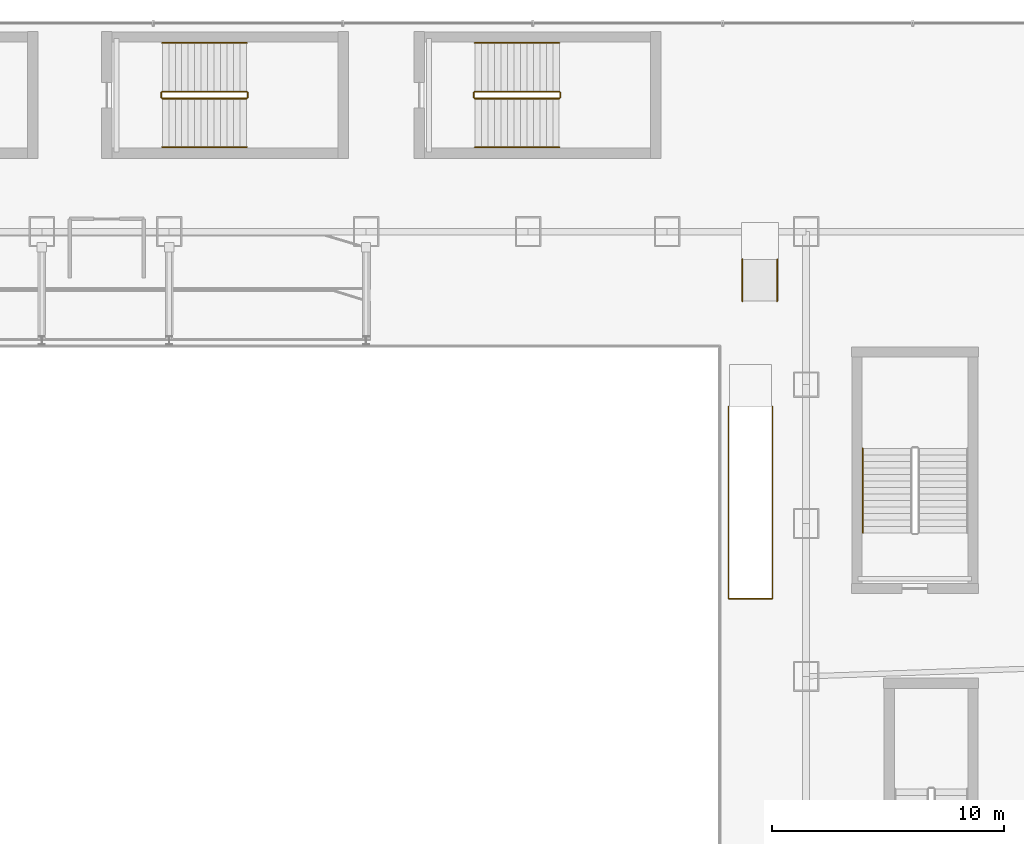
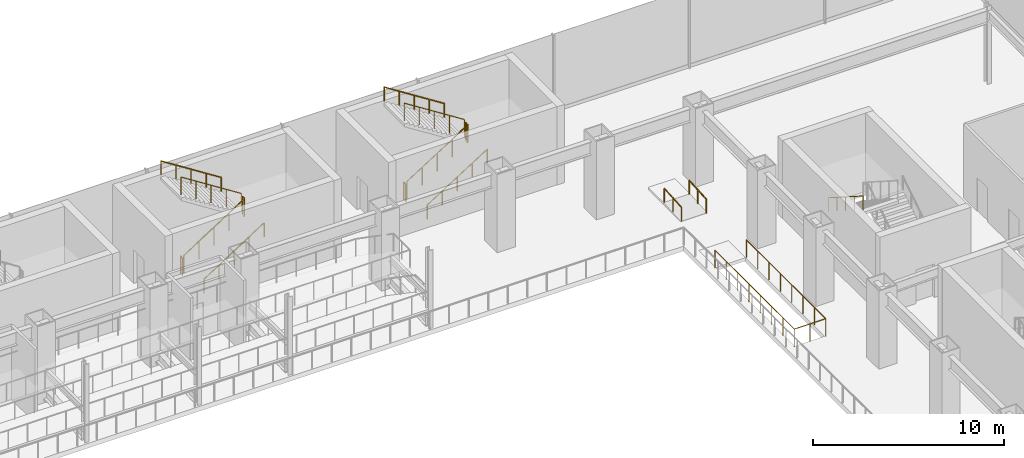
# One storey, part 37 of 39: 16 railings.
"""IFC4 building model written with IfcOpenShell, lengths in metres."""

from ifc_helpers import new_model, si_unit, derived_unit, direction, frame, origin, origin_2d, place, context, subcontext, project, spatial, circle, extrude, material, type_object, element, save


model = new_model("IFC4")

# Units and contexts
model_context = context("Model", 3, precision=1e-05, world=origin(), true_north=direction((0.0, 1.0)))
body_context = subcontext(model_context, "Body", "Model", "MODEL_VIEW")
ifc_project = project(units=[si_unit("LENGTHUNIT", "METRE"), si_unit("AREAUNIT", "SQUARE_METRE"), si_unit("VOLUMEUNIT", "CUBIC_METRE"), si_unit("PLANEANGLEUNIT", "RADIAN"), si_unit("MASSUNIT", "GRAM", prefix="KILO"), derived_unit("THERMALTRANSMITTANCEUNIT", [(si_unit("POWERUNIT", "WATT"), 1), (si_unit("LENGTHUNIT", "METRE"), -2), (si_unit("THERMODYNAMICTEMPERATUREUNIT", "KELVIN"), -1)])], contexts=[model_context])

# Site, building, storey
site_placement = place(None, origin())
site = spatial("IfcSite", under=ifc_project, at=site_placement, CompositionType="ELEMENT")
building_placement = place(site_placement, origin())
building = spatial("IfcBuilding", under=site, at=building_placement, Name="Skarnbrae Concourse Arena and Tower", CompositionType="ELEMENT")
storey_placement = place(building_placement, frame((0.0, 0.0, 11.0)))
storey = spatial("IfcBuildingStorey", under=building, at=storey_placement, Name="L02", CompositionType="ELEMENT", Elevation=11.0)

# Railings
ifc_material = material(Name="Steel CSA G40.21 350W", Category="steel")
railing_type_1 = type_object("IfcRailingType", Name="RAIL-HANDRAIL-900", PredefinedType="HANDRAIL", material=ifc_material)
railing_1_placement = place(storey_placement, frame((63.449951171875, 37.639892578125, 2.678466796875)))
element("IfcRailing", 1, at=railing_1_placement, inside=storey, type_object=railing_type_1, Name="L02 ST-A4 stair handrail 2", PredefinedType="HANDRAIL", context=body_context, shape_type="SweptSolid", body=[
    extrude(circle(Radius=0.02392578125, at=origin_2d()), frame((0.0, 0.0, 0.8759765625), z_axis=(0.0, -0.843111507901, 0.53773877045), x_axis=(1.0, 0.0, 0.0)), (0.0, 0.0, 1.0), 4.317138671875),
    extrude(circle(Radius=0.02099609375, at=origin_2d()), origin(), (0.0, 0.0, 1.0), 0.851806640625),
    extrude(circle(Radius=0.02099609375, at=origin_2d()), frame((0.0, -0.909912109375, 0.580322265625)), (0.0, 0.0, 1.0), 0.851806640625),
    extrude(circle(Radius=0.02099609375, at=origin_2d()), frame((0.0, -1.81982421875, 1.16064453125)), (0.0, 0.0, 1.0), 0.851806640625),
    extrude(circle(Radius=0.02099609375, at=origin_2d()), frame((0.0, -2.72998046875, 1.7412109375)), (0.0, 0.0, 1.0), 0.851806640625),
    extrude(circle(Radius=0.02099609375, at=origin_2d()), frame((0.0, -3.639892578125, 2.321533203125)), (0.0, 0.0, 1.0), 0.851806640625),
])
railing_2_placement = place(storey_placement, frame((33.199951171875, 50.64990234375, 0.178466796875)))
element("IfcRailing", 2, at=railing_2_placement, inside=storey, type_object=railing_type_1, Name="L02 ST-A7 stair handrail 1", PredefinedType="HANDRAIL", context=body_context, shape_type="SweptSolid", body=[
    extrude(circle(Radius=0.02392578125, at=origin_2d()), frame((0.0, 0.0, 0.8759765625), z_axis=(0.843127859045, 0.0, 0.537713132908), x_axis=(0.0, 1.0, 0.0)), (0.0, 0.0, 1.0), 4.3173828125),
    extrude(circle(Radius=0.02099609375, at=origin_2d()), origin(), (0.0, 0.0, 1.0), 0.851806640625),
    extrude(circle(Radius=0.02099609375, at=origin_2d()), frame((0.91015625, 0.0, 0.580322265625)), (0.0, 0.0, 1.0), 0.851806640625),
    extrude(circle(Radius=0.02099609375, at=origin_2d()), frame((1.820068359375, 0.0, 1.16064453125)), (0.0, 0.0, 1.0), 0.851806640625),
    extrude(circle(Radius=0.02099609375, at=origin_2d()), frame((2.72998046875, 0.0, 1.7412109375)), (0.0, 0.0, 1.0), 0.851806640625),
    extrude(circle(Radius=0.02099609375, at=origin_2d()), frame((3.64013671875, 0.0, 2.321533203125)), (0.0, 0.0, 1.0), 0.851806640625),
])
railing_3_placement = place(storey_placement, frame((36.840087890625, 55.14990234375, 2.678466796875)))
element("IfcRailing", 3, at=railing_3_placement, inside=storey, type_object=railing_type_1, Name="L02 ST-A7 stair handrail 2", PredefinedType="HANDRAIL", context=body_context, shape_type="SweptSolid", body=[
    extrude(circle(Radius=0.02392578125, at=origin_2d()), frame((0.0, 0.0, 0.8759765625), z_axis=(-0.843127859045, 0.0, 0.537713132908), x_axis=(0.0, -1.0, 0.0)), (0.0, 0.0, 1.0), 4.3173828125),
    extrude(circle(Radius=0.02099609375, at=origin_2d()), origin(), (0.0, 0.0, 1.0), 0.851806640625),
    extrude(circle(Radius=0.02099609375, at=origin_2d()), frame((-0.91015625, 0.0, 0.580322265625)), (0.0, 0.0, 1.0), 0.851806640625),
    extrude(circle(Radius=0.02099609375, at=origin_2d()), frame((-1.820068359375, 0.0, 1.16064453125)), (0.0, 0.0, 1.0), 0.851806640625),
    extrude(circle(Radius=0.02099609375, at=origin_2d()), frame((-2.72998046875, 0.0, 1.7412109375)), (0.0, 0.0, 1.0), 0.851806640625),
    extrude(circle(Radius=0.02099609375, at=origin_2d()), frame((-3.64013671875, 0.0, 2.321533203125)), (0.0, 0.0, 1.0), 0.851806640625),
])
railing_4_placement = place(storey_placement, frame((46.699951171875, 50.64990234375, 0.178466796875)))
element("IfcRailing", 4, at=railing_4_placement, inside=storey, type_object=railing_type_1, Name="L02 ST-A8 stair handrail 1", PredefinedType="HANDRAIL", context=body_context, shape_type="SweptSolid", body=[
    extrude(circle(Radius=0.02392578125, at=origin_2d()), frame((0.0, 0.0, 0.8759765625), z_axis=(0.843127859045, 0.0, 0.537713132908), x_axis=(0.0, 1.0, 0.0)), (0.0, 0.0, 1.0), 4.3173828125),
    extrude(circle(Radius=0.02099609375, at=origin_2d()), origin(), (0.0, 0.0, 1.0), 0.851806640625),
    extrude(circle(Radius=0.02099609375, at=origin_2d()), frame((0.91015625, 0.0, 0.580322265625)), (0.0, 0.0, 1.0), 0.851806640625),
    extrude(circle(Radius=0.02099609375, at=origin_2d()), frame((1.820068359375, 0.0, 1.16064453125)), (0.0, 0.0, 1.0), 0.851806640625),
    extrude(circle(Radius=0.02099609375, at=origin_2d()), frame((2.72998046875, 0.0, 1.7412109375)), (0.0, 0.0, 1.0), 0.851806640625),
    extrude(circle(Radius=0.02099609375, at=origin_2d()), frame((3.64013671875, 0.0, 2.321533203125)), (0.0, 0.0, 1.0), 0.851806640625),
])
railing_5_placement = place(storey_placement, frame((50.340087890625, 55.14990234375, 2.678466796875)))
element("IfcRailing", 5, at=railing_5_placement, inside=storey, type_object=railing_type_1, Name="L02 ST-A8 stair handrail 2", PredefinedType="HANDRAIL", context=body_context, shape_type="SweptSolid", body=[
    extrude(circle(Radius=0.02392578125, at=origin_2d()), frame((0.0, 0.0, 0.8759765625), z_axis=(-0.843127859045, 0.0, 0.537713132908), x_axis=(0.0, -1.0, 0.0)), (0.0, 0.0, 1.0), 4.3173828125),
    extrude(circle(Radius=0.02099609375, at=origin_2d()), origin(), (0.0, 0.0, 1.0), 0.851806640625),
    extrude(circle(Radius=0.02099609375, at=origin_2d()), frame((-0.91015625, 0.0, 0.580322265625)), (0.0, 0.0, 1.0), 0.851806640625),
    extrude(circle(Radius=0.02099609375, at=origin_2d()), frame((-1.820068359375, 0.0, 1.16064453125)), (0.0, 0.0, 1.0), 0.851806640625),
    extrude(circle(Radius=0.02099609375, at=origin_2d()), frame((-2.72998046875, 0.0, 1.7412109375)), (0.0, 0.0, 1.0), 0.851806640625),
    extrude(circle(Radius=0.02099609375, at=origin_2d()), frame((-3.64013671875, 0.0, 2.321533203125)), (0.0, 0.0, 1.0), 0.851806640625),
])
for number, where, name in (
    (6, (58.25, 44.0, 0.02001953125), "L02 Accessible ramp handrail W"),
    (7, (59.75, 44.0, 0.02001953125), "L02 Accessible ramp handrail E"),
):
    element("IfcRailing", number, at=place(storey_placement, frame(where)), inside=storey, type_object=railing_type_1, Name=name, PredefinedType="HANDRAIL", context=body_context, shape_type="SweptSolid", body=[
        extrude(circle(Radius=0.02392578125, at=origin_2d()), frame((0.0, 0.0, 0.8759765625), z_axis=(0.0, 0.997789945721, 0.06644715358), x_axis=(-1.0, 0.0, 0.0)), (0.0, 0.0, 1.0), 1.803955078125),
        extrude(circle(Radius=0.02099609375, at=origin_2d()), origin(), (0.0, 0.0, 1.0), 0.851806640625),
        extrude(circle(Radius=0.02099609375, at=origin_2d()), frame((0.0, 0.89990234375, 0.06005859375)), (0.0, 0.0, 1.0), 0.851806640625),
        extrude(circle(Radius=0.02099609375, at=origin_2d()), frame((0.0, 1.800048828125, 0.119873046875)), (0.0, 0.0, 1.0), 0.851806640625),
    ])
railing_type_2 = type_object("IfcRailingType", Name="RAIL-STAIR-GUARD-1150", PredefinedType="GUARDRAIL", material=ifc_material)
railing_6_placement = place(storey_placement, frame((33.199951171875, 52.75, 0.178466796875)))
element("IfcRailing", 8, at=railing_6_placement, inside=storey, type_object=railing_type_2, Name="L02 ST-A7 stair guard 1", PredefinedType="GUARDRAIL", context=body_context, shape_type="SweptSolid", body=[
    extrude(circle(Radius=0.02392578125, at=origin_2d()), frame((0.0, 0.0, 1.1259765625), z_axis=(0.843127859045, 0.0, 0.537713132908), x_axis=(0.0, 1.0, 0.0)), (0.0, 0.0, 1.0), 4.3173828125),
    extrude(circle(Radius=0.02099609375, at=origin_2d()), origin(), (0.0, 0.0, 1.0), 1.101806640625),
    extrude(circle(Radius=0.02099609375, at=origin_2d()), frame((0.91015625, 0.0, 0.580322265625)), (0.0, 0.0, 1.0), 1.101806640625),
    extrude(circle(Radius=0.02099609375, at=origin_2d()), frame((1.820068359375, 0.0, 1.16064453125)), (0.0, 0.0, 1.0), 1.101806640625),
    extrude(circle(Radius=0.02099609375, at=origin_2d()), frame((2.72998046875, 0.0, 1.7412109375)), (0.0, 0.0, 1.0), 1.101806640625),
    extrude(circle(Radius=0.02099609375, at=origin_2d()), frame((3.64013671875, 0.0, 2.321533203125)), (0.0, 0.0, 1.0), 1.101806640625),
])
railing_7_placement = place(storey_placement, frame((36.889892578125, 52.800048828125, 2.5)))
element("IfcRailing", 9, at=railing_7_placement, inside=storey, type_object=railing_type_2, Name="L02 ST-A7 stair guard 2", PredefinedType="GUARDRAIL", context=body_context, shape_type="SweptSolid", body=[
    extrude(circle(Radius=0.02392578125, at=origin_2d()), frame((0.0, 0.0, 1.1259765625), z_axis=(0.0, 1.0, 0.0), x_axis=(-1.0, 0.0, 0.0)), (0.0, 0.0, 1.0), 0.199951171875),
    extrude(circle(Radius=0.02099609375, at=origin_2d()), origin(), (0.0, 0.0, 1.0), 1.101806640625),
    extrude(circle(Radius=0.02099609375, at=origin_2d()), frame((0.0, 0.199951171875, 0.0)), (0.0, 0.0, 1.0), 1.101806640625),
])
railing_8_placement = place(storey_placement, frame((36.840087890625, 53.050048828125, 2.678466796875)))
element("IfcRailing", 10, at=railing_8_placement, inside=storey, type_object=railing_type_2, Name="L02 ST-A7 stair guard 3", PredefinedType="GUARDRAIL", context=body_context, shape_type="SweptSolid", body=[
    extrude(circle(Radius=0.02392578125, at=origin_2d()), frame((0.0, 0.0, 1.1259765625), z_axis=(-0.843127859045, 0.0, 0.537713132908), x_axis=(0.0, -1.0, 0.0)), (0.0, 0.0, 1.0), 4.3173828125),
    extrude(circle(Radius=0.02099609375, at=origin_2d()), origin(), (0.0, 0.0, 1.0), 1.101806640625),
    extrude(circle(Radius=0.02099609375, at=origin_2d()), frame((-0.91015625, 0.0, 0.580322265625)), (0.0, 0.0, 1.0), 1.101806640625),
    extrude(circle(Radius=0.02099609375, at=origin_2d()), frame((-1.820068359375, 0.0, 1.16064453125)), (0.0, 0.0, 1.0), 1.101806640625),
    extrude(circle(Radius=0.02099609375, at=origin_2d()), frame((-2.72998046875, 0.0, 1.7412109375)), (0.0, 0.0, 1.0), 1.101806640625),
    extrude(circle(Radius=0.02099609375, at=origin_2d()), frame((-3.64013671875, 0.0, 2.321533203125)), (0.0, 0.0, 1.0), 1.101806640625),
])
railing_9_placement = place(storey_placement, frame((33.14990234375, 52.800048828125, 0.0)))
element("IfcRailing", 11, at=railing_9_placement, inside=storey, type_object=railing_type_2, Name="L02 ST-A7 stair guard 4", PredefinedType="GUARDRAIL", context=body_context, shape_type="SweptSolid", body=[
    extrude(circle(Radius=0.02392578125, at=origin_2d()), frame((0.0, 0.0, 1.1259765625), z_axis=(0.0, 1.0, 0.0), x_axis=(-1.0, 0.0, 0.0)), (0.0, 0.0, 1.0), 0.199951171875),
    extrude(circle(Radius=0.02099609375, at=origin_2d()), origin(), (0.0, 0.0, 1.0), 1.101806640625),
    extrude(circle(Radius=0.02099609375, at=origin_2d()), frame((0.0, 0.199951171875, 0.0)), (0.0, 0.0, 1.0), 1.101806640625),
])
railing_10_placement = place(storey_placement, frame((46.699951171875, 52.75, 0.178466796875)))
element("IfcRailing", 12, at=railing_10_placement, inside=storey, type_object=railing_type_2, Name="L02 ST-A8 stair guard 1", PredefinedType="GUARDRAIL", context=body_context, shape_type="SweptSolid", body=[
    extrude(circle(Radius=0.02392578125, at=origin_2d()), frame((0.0, 0.0, 1.1259765625), z_axis=(0.843127859045, 0.0, 0.537713132908), x_axis=(0.0, 1.0, 0.0)), (0.0, 0.0, 1.0), 4.3173828125),
    extrude(circle(Radius=0.02099609375, at=origin_2d()), origin(), (0.0, 0.0, 1.0), 1.101806640625),
    extrude(circle(Radius=0.02099609375, at=origin_2d()), frame((0.91015625, 0.0, 0.580322265625)), (0.0, 0.0, 1.0), 1.101806640625),
    extrude(circle(Radius=0.02099609375, at=origin_2d()), frame((1.820068359375, 0.0, 1.16064453125)), (0.0, 0.0, 1.0), 1.101806640625),
    extrude(circle(Radius=0.02099609375, at=origin_2d()), frame((2.72998046875, 0.0, 1.7412109375)), (0.0, 0.0, 1.0), 1.101806640625),
    extrude(circle(Radius=0.02099609375, at=origin_2d()), frame((3.64013671875, 0.0, 2.321533203125)), (0.0, 0.0, 1.0), 1.101806640625),
])
railing_11_placement = place(storey_placement, frame((50.389892578125, 52.800048828125, 2.5)))
element("IfcRailing", 13, at=railing_11_placement, inside=storey, type_object=railing_type_2, Name="L02 ST-A8 stair guard 2", PredefinedType="GUARDRAIL", context=body_context, shape_type="SweptSolid", body=[
    extrude(circle(Radius=0.02392578125, at=origin_2d()), frame((0.0, 0.0, 1.1259765625), z_axis=(0.0, 1.0, 0.0), x_axis=(-1.0, 0.0, 0.0)), (0.0, 0.0, 1.0), 0.199951171875),
    extrude(circle(Radius=0.02099609375, at=origin_2d()), origin(), (0.0, 0.0, 1.0), 1.101806640625),
    extrude(circle(Radius=0.02099609375, at=origin_2d()), frame((0.0, 0.199951171875, 0.0)), (0.0, 0.0, 1.0), 1.101806640625),
])
railing_12_placement = place(storey_placement, frame((50.340087890625, 53.050048828125, 2.678466796875)))
element("IfcRailing", 14, at=railing_12_placement, inside=storey, type_object=railing_type_2, Name="L02 ST-A8 stair guard 3", PredefinedType="GUARDRAIL", context=body_context, shape_type="SweptSolid", body=[
    extrude(circle(Radius=0.02392578125, at=origin_2d()), frame((0.0, 0.0, 1.1259765625), z_axis=(-0.843127859045, 0.0, 0.537713132908), x_axis=(0.0, -1.0, 0.0)), (0.0, 0.0, 1.0), 4.3173828125),
    extrude(circle(Radius=0.02099609375, at=origin_2d()), origin(), (0.0, 0.0, 1.0), 1.101806640625),
    extrude(circle(Radius=0.02099609375, at=origin_2d()), frame((-0.91015625, 0.0, 0.580322265625)), (0.0, 0.0, 1.0), 1.101806640625),
    extrude(circle(Radius=0.02099609375, at=origin_2d()), frame((-1.820068359375, 0.0, 1.16064453125)), (0.0, 0.0, 1.0), 1.101806640625),
    extrude(circle(Radius=0.02099609375, at=origin_2d()), frame((-2.72998046875, 0.0, 1.7412109375)), (0.0, 0.0, 1.0), 1.101806640625),
    extrude(circle(Radius=0.02099609375, at=origin_2d()), frame((-3.64013671875, 0.0, 2.321533203125)), (0.0, 0.0, 1.0), 1.101806640625),
])
railing_13_placement = place(storey_placement, frame((46.64990234375, 52.800048828125, 0.0)))
element("IfcRailing", 15, at=railing_13_placement, inside=storey, type_object=railing_type_2, Name="L02 ST-A8 stair guard 4", PredefinedType="GUARDRAIL", context=body_context, shape_type="SweptSolid", body=[
    extrude(circle(Radius=0.02392578125, at=origin_2d()), frame((0.0, 0.0, 1.1259765625), z_axis=(0.0, 1.0, 0.0), x_axis=(-1.0, 0.0, 0.0)), (0.0, 0.0, 1.0), 0.199951171875),
    extrude(circle(Radius=0.02099609375, at=origin_2d()), origin(), (0.0, 0.0, 1.0), 1.101806640625),
    extrude(circle(Radius=0.02099609375, at=origin_2d()), frame((0.0, 0.199951171875, 0.0)), (0.0, 0.0, 1.0), 1.101806640625),
])
railing_14_placement = place(storey_placement, frame((59.550048828125, 39.4599609375, 0.0)))
element("IfcRailing", 16, at=railing_14_placement, inside=storey, type_object=railing_type_2, Name="ST-CONC-3 Upper well guardrail L02", PredefinedType="GUARDRAIL", context=body_context, shape_type="SweptSolid", body=[
    extrude(circle(Radius=0.02392578125, at=origin_2d()), frame((0.0, 0.0, 1.1259765625), z_axis=(0.0, -1.0, 0.0), x_axis=(1.0, 0.0, 0.0)), (0.0, 0.0, 1.0), 8.31005859375),
    extrude(circle(Radius=0.02392578125, at=origin_2d()), frame((0.0, -8.31005859375, 1.1259765625), z_axis=(-1.0, 0.0, 0.0), x_axis=(0.0, -1.0, 0.0)), (0.0, 0.0, 1.0), 1.900146484375),
    extrude(circle(Radius=0.02392578125, at=origin_2d()), frame((-1.900146484375, -8.31005859375, 1.1259765625), z_axis=(0.0, 1.0, 0.0), x_axis=(-1.0, 0.0, 0.0)), (0.0, 0.0, 1.0), 8.31005859375),
    extrude(circle(Radius=0.02099609375, at=origin_2d()), origin(), (0.0, 0.0, 1.0), 1.101806640625),
    extrude(circle(Radius=0.02099609375, at=origin_2d()), frame((0.0, -1.187255859375, 0.0)), (0.0, 0.0, 1.0), 1.101806640625),
    extrude(circle(Radius=0.02099609375, at=origin_2d()), frame((0.0, -2.374267578125, 0.0)), (0.0, 0.0, 1.0), 1.101806640625),
    extrude(circle(Radius=0.02099609375, at=origin_2d()), frame((0.0, -3.5615234375, 0.0)), (0.0, 0.0, 1.0), 1.101806640625),
    extrude(circle(Radius=0.02099609375, at=origin_2d()), frame((0.0, -4.74853515625, 0.0)), (0.0, 0.0, 1.0), 1.101806640625),
    extrude(circle(Radius=0.02099609375, at=origin_2d()), frame((0.0, -5.935791015625, 0.0)), (0.0, 0.0, 1.0), 1.101806640625),
    extrude(circle(Radius=0.02099609375, at=origin_2d()), frame((0.0, -7.122802734375, 0.0)), (0.0, 0.0, 1.0), 1.101806640625),
    extrude(circle(Radius=0.02099609375, at=origin_2d()), frame((0.0, -8.31005859375, 0.0)), (0.0, 0.0, 1.0), 1.101806640625),
    extrude(circle(Radius=0.02099609375, at=origin_2d()), frame((-0.9501953125, -8.31005859375, 0.0)), (0.0, 0.0, 1.0), 1.101806640625),
    extrude(circle(Radius=0.02099609375, at=origin_2d()), frame((-1.900146484375, -8.31005859375, 0.0)), (0.0, 0.0, 1.0), 1.101806640625),
    extrude(circle(Radius=0.02099609375, at=origin_2d()), frame((-1.900146484375, -7.122802734375, 0.0)), (0.0, 0.0, 1.0), 1.101806640625),
    extrude(circle(Radius=0.02099609375, at=origin_2d()), frame((-1.900146484375, -5.935791015625, 0.0)), (0.0, 0.0, 1.0), 1.101806640625),
    extrude(circle(Radius=0.02099609375, at=origin_2d()), frame((-1.900146484375, -4.74853515625, 0.0)), (0.0, 0.0, 1.0), 1.101806640625),
    extrude(circle(Radius=0.02099609375, at=origin_2d()), frame((-1.900146484375, -3.5615234375, 0.0)), (0.0, 0.0, 1.0), 1.101806640625),
    extrude(circle(Radius=0.02099609375, at=origin_2d()), frame((-1.900146484375, -2.374267578125, 0.0)), (0.0, 0.0, 1.0), 1.101806640625),
    extrude(circle(Radius=0.02099609375, at=origin_2d()), frame((-1.900146484375, -1.187255859375, 0.0)), (0.0, 0.0, 1.0), 1.101806640625),
    extrude(circle(Radius=0.02099609375, at=origin_2d()), frame((-1.900146484375, 0.0, 0.0)), (0.0, 0.0, 1.0), 1.101806640625),
])

save(model, "model.ifc")
